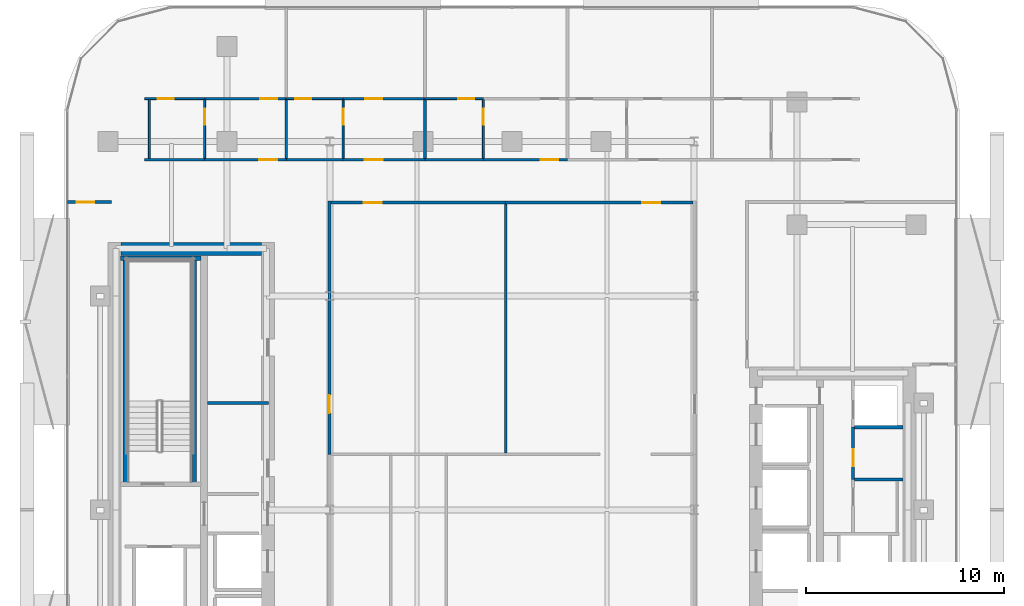
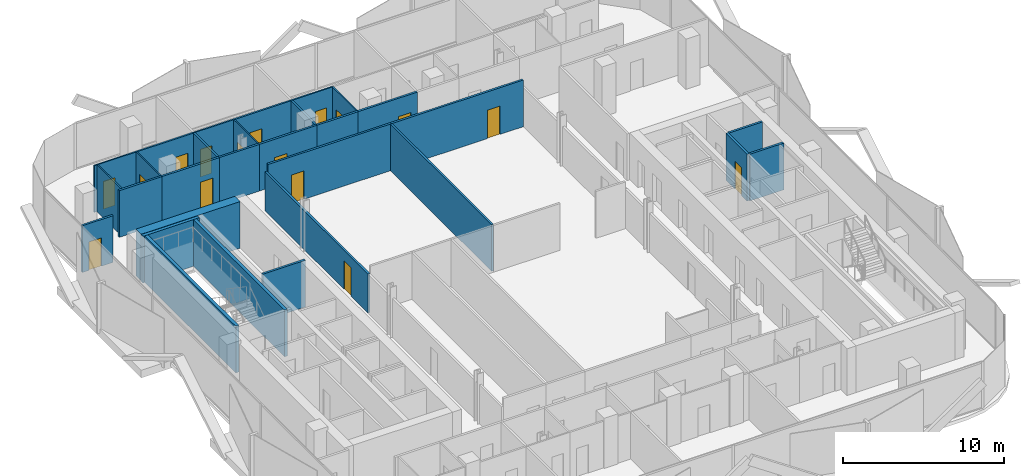
# One storey, part 6 of 17: 30 walls, 16 doors, 16 openings.
"""IFC4 building model written with IfcOpenShell, lengths in metres."""

from ifc_helpers import new_model, si_unit, direction, frame, frame_2d, origin, place, context, subcontext, project, spatial, rectangle, extrude, material, layer, layer_set, type_object, element, fill, save


model = new_model("IFC4")

# Units and contexts
model_context = context("Model", 3, precision=1e-05, world=origin(), true_north=direction((0.0, 1.0)))
body_context = subcontext(model_context, "Body", "Model", "MODEL_VIEW")
ifc_project = project(units=[si_unit("LENGTHUNIT", "METRE"), si_unit("AREAUNIT", "SQUARE_METRE"), si_unit("VOLUMEUNIT", "CUBIC_METRE"), si_unit("PLANEANGLEUNIT", "RADIAN"), si_unit("MASSUNIT", "GRAM", prefix="KILO")], contexts=[model_context])

# Site, building, storey
site_placement = place(None, origin())
site = spatial("IfcSite", under=ifc_project, at=site_placement, CompositionType="ELEMENT")
building_placement = place(site_placement, origin())
building = spatial("IfcBuilding", under=site, at=building_placement, Name="Khairoan Windgate Tower", CompositionType="ELEMENT")
storey_placement = place(building_placement, frame((0.0, 0.0, 191.60009765625)))
storey = spatial("IfcBuildingStorey", under=building, at=storey_placement, Name="L44", CompositionType="ELEMENT", Elevation=191.60009765625)

# Wall, opening, door
ifc_material_1 = material(Name="Moisture-Resistant Gypsum Partition", Category="gypsum")
ifc_layer_1 = layer(ifc_material_1, 0.10009765625, Name="Moisture-Resistant Gypsum Partition")
ifc_layer_set_1 = layer_set([ifc_layer_1], Name="Moisture-Resistant Gypsum Partition")
wall_type_1 = type_object("IfcWallType", Name="Bathroom Wet-Area Partition Wall", PredefinedType="PARTITIONING", material=ifc_layer_set_1)
wall_1_placement = place(storey_placement, frame((-15.52392578125, 17.7548828125, 0.0), z_axis=(0.0, 0.0, 1.0), x_axis=(0.0, 1.0, 0.0)))
wall_1 = element("IfcWall", 1, at=wall_1_placement, inside=storey, type_object=wall_type_1, Name="L44 Interior Partition 054", PredefinedType="PARTITIONING", context=body_context, shape_type="SweptSolid", body=[
    extrude(rectangle(XDim=2.965087890625, YDim=0.10009765625, at=frame_2d((1.482421875, 0.0))), origin(), (0.0, 0.0, 1.0), 3.539794921875),
])
opening_1_placement = place(wall_1_placement, frame((1.705078125, 0.0, 0.0)))
opening_1 = element("IfcOpeningElement", 2, at=opening_1_placement, cuts=wall_1, Name="Opening ID-BTH", PredefinedType="OPENING", context=body_context, shape_type="SweptSolid", body=[
    extrude(rectangle(XDim=0.800048828125, YDim=2.10009765625, at=frame_2d((0.39990234375, 1.050048828125))), frame((0.0, 0.06005859375, 0.0), z_axis=(0.0, -1.0, 0.0), x_axis=(1.0, 0.0, 0.0)), (0.0, 0.0, 1.0), 0.1201171875),
])
ifc_material_2 = material(Name="Teak Veneer Timber Leaf", Category="wood")
door_type_1 = type_object("IfcDoorType", Name="Internal Bathroom Door ID-BTH 800x2100", OperationType="NOTDEFINED", PredefinedType="DOOR", material=ifc_material_2)
door_1_placement = place(opening_1_placement, origin())
door_1 = element("IfcDoor", 3, at=door_1_placement, inside=storey, type_object=door_type_1, Name="L44 L44-39-L44-40 Door", OperationType="SINGLE_SWING_RIGHT", OverallHeight=2.10009765625, OverallWidth=0.800048828125, PredefinedType="DOOR", context=body_context, shape_type="SweptSolid", body=[
    extrude(rectangle(XDim=0.800048828125, YDim=2.10009765625, at=frame_2d((0.39990234375, 1.050048828125))), frame((0.0, 0.02490234375, 0.0), z_axis=(0.0, -1.0, 0.0), x_axis=(1.0, 0.0, 0.0)), (0.0, 0.0, 1.0), 0.050048828125),
])
fill(opening_1, door_1)

wall_2_placement = place(storey_placement, frame((-18.56005859375, 20.77001953125, 0.0), z_axis=(0.0, 0.0, 1.0), x_axis=(1.0, 0.0, 0.0)))
wall_2 = element("IfcWall", 4, at=wall_2_placement, inside=storey, type_object=wall_type_1, Name="L44 Interior Partition 055", PredefinedType="PARTITIONING", context=body_context, shape_type="SweptSolid", body=[
    extrude(rectangle(XDim=3.0361328125, YDim=0.10009765625, at=frame_2d((1.51806640625, 0.0))), origin(), (0.0, 0.0, 1.0), 3.539794921875),
])
opening_2_placement = place(wall_2_placement, frame((0.67919921875, 0.0, 0.0)))
opening_2 = element("IfcOpeningElement", 5, at=opening_2_placement, cuts=wall_2, Name="Opening ID-BTH", PredefinedType="OPENING", context=body_context, shape_type="SweptSolid", body=[
    extrude(rectangle(XDim=0.800048828125, YDim=2.10009765625, at=frame_2d((0.39990234375, 1.050048828125))), frame((0.0, 0.06005859375, 0.0), z_axis=(0.0, -1.0, 0.0), x_axis=(1.0, 0.0, 0.0)), (0.0, 0.0, 1.0), 0.1201171875),
])
door_2_placement = place(opening_2_placement, origin())
door_2 = element("IfcDoor", 6, at=door_2_placement, inside=storey, type_object=door_type_1, Name="L44 L44-39-L44-41 Door", OperationType="SINGLE_SWING_LEFT", OverallHeight=2.10009765625, OverallWidth=0.800048828125, PredefinedType="DOOR", context=body_context, shape_type="SweptSolid", body=[
    extrude(rectangle(XDim=0.800048828125, YDim=2.10009765625, at=frame_2d((0.39990234375, 1.050048828125))), frame((0.0, 0.02490234375, 0.0), z_axis=(0.0, -1.0, 0.0), x_axis=(1.0, 0.0, 0.0)), (0.0, 0.0, 1.0), 0.050048828125),
])
fill(opening_2, door_2)

wall_3_placement = place(storey_placement, frame((-8.52392578125, 17.7548828125, 0.0), z_axis=(0.0, 0.0, 1.0), x_axis=(0.0, 1.0, 0.0)))
wall_3 = element("IfcWall", 7, at=wall_3_placement, inside=storey, type_object=wall_type_1, Name="L44 Interior Partition 059", PredefinedType="PARTITIONING", context=body_context, shape_type="SweptSolid", body=[
    extrude(rectangle(XDim=2.965087890625, YDim=0.10009765625, at=frame_2d((1.482421875, 0.0))), origin(), (0.0, 0.0, 1.0), 3.539794921875),
])
opening_3_placement = place(wall_3_placement, frame((1.705078125, 0.0, 0.0)))
opening_3 = element("IfcOpeningElement", 8, at=opening_3_placement, cuts=wall_3, Name="Opening ID-BTH", PredefinedType="OPENING", context=body_context, shape_type="SweptSolid", body=[
    extrude(rectangle(XDim=0.800048828125, YDim=2.10009765625, at=frame_2d((0.39990234375, 1.050048828125))), frame((0.0, 0.06005859375, 0.0), z_axis=(0.0, -1.0, 0.0), x_axis=(1.0, 0.0, 0.0)), (0.0, 0.0, 1.0), 0.1201171875),
])
door_3_placement = place(opening_3_placement, origin())
door_3 = element("IfcDoor", 9, at=door_3_placement, inside=storey, type_object=door_type_1, Name="L44 L44-42-L44-43 Door", OperationType="SINGLE_SWING_LEFT", OverallHeight=2.10009765625, OverallWidth=0.800048828125, PredefinedType="DOOR", context=body_context, shape_type="SweptSolid", body=[
    extrude(rectangle(XDim=0.800048828125, YDim=2.10009765625, at=frame_2d((0.39990234375, 1.050048828125))), frame((0.0, 0.02490234375, 0.0), z_axis=(0.0, -1.0, 0.0), x_axis=(1.0, 0.0, 0.0)), (0.0, 0.0, 1.0), 0.050048828125),
])
fill(opening_3, door_3)

wall_4_placement = place(storey_placement, frame((-11.39990234375, 20.77001953125, 0.0), z_axis=(0.0, 0.0, 1.0), x_axis=(1.0, 0.0, 0.0)))
wall_4 = element("IfcWall", 10, at=wall_4_placement, inside=storey, type_object=wall_type_1, Name="L44 Interior Partition 060", PredefinedType="PARTITIONING", context=body_context, shape_type="SweptSolid", body=[
    extrude(rectangle(XDim=2.8759765625, YDim=0.10009765625, at=frame_2d((1.43798828125, 0.0))), origin(), (0.0, 0.0, 1.0), 3.539794921875),
])
opening_4_placement = place(wall_4_placement, frame((0.4599609375, 0.0, 0.0)))
opening_4 = element("IfcOpeningElement", 11, at=opening_4_placement, cuts=wall_4, Name="Opening ID-BTH", PredefinedType="OPENING", context=body_context, shape_type="SweptSolid", body=[
    extrude(rectangle(XDim=0.800048828125, YDim=2.10009765625, at=frame_2d((0.39990234375, 1.050048828125))), frame((0.0, 0.06005859375, 0.0), z_axis=(0.0, -1.0, 0.0), x_axis=(1.0, 0.0, 0.0)), (0.0, 0.0, 1.0), 0.1201171875),
])
door_4_placement = place(opening_4_placement, origin())
door_4 = element("IfcDoor", 12, at=door_4_placement, inside=storey, type_object=door_type_1, Name="L44 L44-42-L44-44 Door", OperationType="SINGLE_SWING_RIGHT", OverallHeight=2.10009765625, OverallWidth=0.800048828125, PredefinedType="DOOR", context=body_context, shape_type="SweptSolid", body=[
    extrude(rectangle(XDim=0.800048828125, YDim=2.10009765625, at=frame_2d((0.39990234375, 1.050048828125))), frame((0.0, 0.02490234375, 0.0), z_axis=(0.0, -1.0, 0.0), x_axis=(1.0, 0.0, 0.0)), (0.0, 0.0, 1.0), 0.050048828125),
])
fill(opening_4, door_4)

wall_5_placement = place(storey_placement, frame((-1.444091796875, 17.7548828125, 0.0), z_axis=(0.0, 0.0, 1.0), x_axis=(0.0, 1.0, 0.0)))
wall_5 = element("IfcWall", 13, at=wall_5_placement, inside=storey, type_object=wall_type_1, Name="L44 Interior Partition 064", PredefinedType="PARTITIONING", context=body_context, shape_type="SweptSolid", body=[
    extrude(rectangle(XDim=2.965087890625, YDim=0.10009765625, at=frame_2d((1.482421875, 0.0))), origin(), (0.0, 0.0, 1.0), 3.539794921875),
])
opening_5_placement = place(wall_5_placement, frame((1.705078125, 0.0, 0.0)))
opening_5 = element("IfcOpeningElement", 14, at=opening_5_placement, cuts=wall_5, Name="Opening ID-BTH", PredefinedType="OPENING", context=body_context, shape_type="SweptSolid", body=[
    extrude(rectangle(XDim=0.800048828125, YDim=2.10009765625, at=frame_2d((0.39990234375, 1.050048828125))), frame((0.0, 0.06005859375, 0.0), z_axis=(0.0, -1.0, 0.0), x_axis=(1.0, 0.0, 0.0)), (0.0, 0.0, 1.0), 0.1201171875),
])
door_5_placement = place(opening_5_placement, origin())
door_5 = element("IfcDoor", 15, at=door_5_placement, inside=storey, type_object=door_type_1, Name="L44 L44-45-L44-46 Door", OperationType="SINGLE_SWING_RIGHT", OverallHeight=2.10009765625, OverallWidth=0.800048828125, PredefinedType="DOOR", context=body_context, shape_type="SweptSolid", body=[
    extrude(rectangle(XDim=0.800048828125, YDim=2.10009765625, at=frame_2d((0.39990234375, 1.050048828125))), frame((0.0, 0.02490234375, 0.0), z_axis=(0.0, -1.0, 0.0), x_axis=(1.0, 0.0, 0.0)), (0.0, 0.0, 1.0), 0.050048828125),
])
fill(opening_5, door_5)

wall_6_placement = place(storey_placement, frame((-4.39990234375, 20.77001953125, 0.0), z_axis=(0.0, 0.0, 1.0), x_axis=(1.0, 0.0, 0.0)))
wall_6 = element("IfcWall", 16, at=wall_6_placement, inside=storey, type_object=wall_type_1, Name="L44 Interior Partition 065", PredefinedType="PARTITIONING", context=body_context, shape_type="SweptSolid", body=[
    extrude(rectangle(XDim=2.955810546875, YDim=0.10009765625, at=frame_2d((1.47802734375, 0.0))), origin(), (0.0, 0.0, 1.0), 3.539794921875),
])
opening_6_placement = place(wall_6_placement, frame((1.696044921875, 0.0, 0.0)))
opening_6 = element("IfcOpeningElement", 17, at=opening_6_placement, cuts=wall_6, Name="Opening ID-BTH", PredefinedType="OPENING", context=body_context, shape_type="SweptSolid", body=[
    extrude(rectangle(XDim=0.800048828125, YDim=2.10009765625, at=frame_2d((0.39990234375, 1.050048828125))), frame((0.0, 0.06005859375, 0.0), z_axis=(0.0, -1.0, 0.0), x_axis=(1.0, 0.0, 0.0)), (0.0, 0.0, 1.0), 0.1201171875),
])
door_6_placement = place(opening_6_placement, origin())
door_6 = element("IfcDoor", 18, at=door_6_placement, inside=storey, type_object=door_type_1, Name="L44 L44-45-L44-47 Door", OperationType="SINGLE_SWING_LEFT", OverallHeight=2.10009765625, OverallWidth=0.800048828125, PredefinedType="DOOR", context=body_context, shape_type="SweptSolid", body=[
    extrude(rectangle(XDim=0.800048828125, YDim=2.10009765625, at=frame_2d((0.39990234375, 1.050048828125))), frame((0.0, 0.02490234375, 0.0), z_axis=(0.0, -1.0, 0.0), x_axis=(1.0, 0.0, 0.0)), (0.0, 0.0, 1.0), 0.050048828125),
])
fill(opening_6, door_6)

# Walls
wall_7_placement = place(storey_placement, frame((-18.320068359375, 17.7548828125, 0.0), z_axis=(0.0, 0.0, 1.0), x_axis=(0.0, 1.0, 0.0)))
element("IfcWall", 19, at=wall_7_placement, inside=storey, type_object=wall_type_1, Name="L44 Wet Room Side Wall 098", PredefinedType="PARTITIONING", context=body_context, shape_type="SweptSolid", body=[
    extrude(rectangle(XDim=2.965087890625, YDim=0.10009765625, at=frame_2d((1.482421875, 0.0))), origin(), (0.0, 0.0, 1.0), 3.539794921875),
])
ifc_material_3 = material(Name="Acoustic Fire-Rated Gypsum Partition", Category="gypsum")
ifc_layer_2 = layer(ifc_material_3, 0.139892578125, Name="Acoustic Fire-Rated Gypsum Partition")
ifc_layer_set_2 = layer_set([ifc_layer_2], Name="Acoustic Fire-Rated Gypsum Partition")
wall_type_2 = type_object("IfcWallType", Name="Inter-Tenancy Compartment Wall", PredefinedType="PARTITIONING", material=ifc_layer_set_2)
wall_8_placement = place(storey_placement, frame((-0.320068359375, 2.8701171875, 0.0), z_axis=(0.0, 0.0, 1.0), x_axis=(0.0, 1.0, 0.0)))
element("IfcWall", 20, at=wall_8_placement, inside=storey, type_object=wall_type_2, Name="L44 Interior Partition 053", PredefinedType="PARTITIONING", context=body_context, shape_type="SweptSolid", body=[
    extrude(rectangle(XDim=12.574951171875, YDim=0.139892578125, at=frame_2d((6.28759765625, 0.0))), origin(), (0.0, 0.0, 1.0), 3.539794921875),
])
for number, where, z_axis, x_axis, name in (
    (21, (-11.39990234375, 17.7548828125, 0.0), (0.0, 0.0, 1.0), (0.0, 1.0, 0.0), "L44 Interior Partition 057"),
    (22, (-4.39990234375, 17.7548828125, 0.0), (0.0, 0.0, 1.0), (0.0, 1.0, 0.0), "L44 Interior Partition 062"),
):
    element("IfcWall", number, at=place(storey_placement, frame(where, z_axis=z_axis, x_axis=x_axis)), inside=storey, type_object=wall_type_2, Name=name, PredefinedType="PARTITIONING", context=body_context, shape_type="SweptSolid", body=[
        extrude(rectangle(XDim=3.01513671875, YDim=0.139892578125, at=frame_2d((1.507568359375, 0.0))), origin(), (0.0, 0.0, 1.0), 3.539794921875),
    ])

# Wall, opening, door
ifc_material_4 = material(Name="Gypsum Stud Partition", Category="gypsum")
ifc_layer_3 = layer(ifc_material_4, 0.1201171875, Name="Gypsum Stud Partition")
ifc_layer_set_3 = layer_set([ifc_layer_3], Name="Gypsum Stud Partition")
wall_type_3 = type_object("IfcWallType", Name="Internal Room Partition Wall", PredefinedType="PARTITIONING", material=ifc_layer_set_3)
wall_9_placement = place(storey_placement, frame((-15.52392578125, 20.77001953125, 0.0), z_axis=(0.0, 0.0, 1.0), x_axis=(1.0, 0.0, 0.0)))
wall_9 = element("IfcWall", 23, at=wall_9_placement, inside=storey, type_object=wall_type_3, Name="L44 Interior Partition 056", PredefinedType="PARTITIONING", context=body_context, shape_type="SweptSolid", body=[
    extrude(rectangle(XDim=4.1240234375, YDim=0.1201171875, at=frame_2d((2.06201171875, 0.0))), origin(), (0.0, 0.0, 1.0), 3.539794921875),
])
opening_7_placement = place(wall_9_placement, frame((2.803955078125, 0.0, 0.0)))
opening_7 = element("IfcOpeningElement", 24, at=opening_7_placement, cuts=wall_9, Name="Opening ID-RM", PredefinedType="OPENING", context=body_context, shape_type="SweptSolid", body=[
    extrude(rectangle(XDim=0.860107421875, YDim=2.14990234375, at=frame_2d((0.43017578125, 1.074951171875))), frame((0.0, 0.070068359375, 0.0), z_axis=(0.0, -1.0, 0.0), x_axis=(1.0, 0.0, 0.0)), (0.0, 0.0, 1.0), 0.14013671875),
])
ifc_material_5 = material(Name="Teak Veneer Timber Leaf", Category="wood")
door_type_2 = type_object("IfcDoorType", Name="Internal Bedroom and Office Door ID-RM 860x2150", OperationType="NOTDEFINED", PredefinedType="DOOR", material=ifc_material_5)
door_7_placement = place(opening_7_placement, origin())
door_7 = element("IfcDoor", 25, at=door_7_placement, inside=storey, type_object=door_type_2, Name="L44 L44-40-L44-41 Door", OperationType="SINGLE_SWING_RIGHT", OverallHeight=2.14990234375, OverallWidth=0.860107421875, PredefinedType="DOOR", context=body_context, shape_type="SweptSolid", body=[
    extrude(rectangle(XDim=0.860107421875, YDim=2.14990234375, at=frame_2d((0.43017578125, 1.074951171875))), frame((0.0, 0.02490234375, 0.0), z_axis=(0.0, -1.0, 0.0), x_axis=(1.0, 0.0, 0.0)), (0.0, 0.0, 1.0), 0.050048828125),
])
fill(opening_7, door_7)

wall_10_placement = place(storey_placement, frame((-8.52392578125, 20.77001953125, 0.0), z_axis=(0.0, 0.0, 1.0), x_axis=(1.0, 0.0, 0.0)))
wall_10 = element("IfcWall", 26, at=wall_10_placement, inside=storey, type_object=wall_type_3, Name="L44 Interior Partition 061", PredefinedType="PARTITIONING", context=body_context, shape_type="SweptSolid", body=[
    extrude(rectangle(XDim=4.1240234375, YDim=0.1201171875, at=frame_2d((2.06201171875, 0.0))), origin(), (0.0, 0.0, 1.0), 3.539794921875),
])
opening_8_placement = place(wall_10_placement, frame((1.099365234375, 0.0, 0.0)))
opening_8 = element("IfcOpeningElement", 27, at=opening_8_placement, cuts=wall_10, Name="Opening ID-RM", PredefinedType="OPENING", context=body_context, shape_type="SweptSolid", body=[
    extrude(rectangle(XDim=0.860107421875, YDim=2.14990234375, at=frame_2d((0.43017578125, 1.074951171875))), frame((0.0, 0.070068359375, 0.0), z_axis=(0.0, -1.0, 0.0), x_axis=(1.0, 0.0, 0.0)), (0.0, 0.0, 1.0), 0.14013671875),
])
door_8_placement = place(opening_8_placement, origin())
door_8 = element("IfcDoor", 28, at=door_8_placement, inside=storey, type_object=door_type_2, Name="L44 L44-43-L44-44 Door", OperationType="SINGLE_SWING_LEFT", OverallHeight=2.14990234375, OverallWidth=0.860107421875, PredefinedType="DOOR", context=body_context, shape_type="SweptSolid", body=[
    extrude(rectangle(XDim=0.860107421875, YDim=2.14990234375, at=frame_2d((0.43017578125, 1.074951171875))), frame((0.0, 0.02490234375, 0.0), z_axis=(0.0, -1.0, 0.0), x_axis=(1.0, 0.0, 0.0)), (0.0, 0.0, 1.0), 0.050048828125),
])
fill(opening_8, door_8)

# Wall
ifc_material_6 = material(Name="Concrete C40/50", Category="concrete")
ifc_layer_4 = layer(ifc_material_6, 0.159912109375, Name="Concrete C40/50")
ifc_layer_set_4 = layer_set([ifc_layer_4], Name="Concrete C40/50")
wall_type_4 = type_object("IfcWallType", Name="Plant and Refuge Compartment Wall", PredefinedType="PARTITIONING", material=ifc_layer_set_4)
wall_11_placement = place(storey_placement, frame((-15.375, 5.39990234375, 0.0), z_axis=(0.0, 0.0, 1.0), x_axis=(1.0, 0.0, 0.0)))
element("IfcWall", 29, at=wall_11_placement, inside=storey, type_object=wall_type_4, Name="L44 Interior Partition 004", PredefinedType="PARTITIONING", context=body_context, shape_type="SweptSolid", body=[
    extrude(rectangle(XDim=3.06494140625, YDim=0.159912109375, at=frame_2d((1.532470703125, 0.0))), origin(), (0.0, 0.0, 1.0), 3.539794921875),
])

# Wall, opening, door
wall_12_placement = place(storey_placement, frame((17.22998046875, 1.530029296875, 0.0), z_axis=(0.0, 0.0, 1.0), x_axis=(0.0, 1.0, 0.0)))
wall_12 = element("IfcWall", 30, at=wall_12_placement, inside=storey, type_object=wall_type_4, Name="L44 Interior Partition 007", PredefinedType="PARTITIONING", context=body_context, shape_type="SweptSolid", body=[
    extrude(rectangle(XDim=2.639892578125, YDim=0.159912109375, at=frame_2d((1.31982421875, 0.0))), origin(), (0.0, 0.0, 1.0), 3.539794921875),
])
opening_9_placement = place(wall_12_placement, frame((0.677490234375, 0.0, 0.0)))
opening_9 = element("IfcOpeningElement", 31, at=opening_9_placement, cuts=wall_12, Name="Opening FD-SRV", PredefinedType="OPENING", context=body_context, shape_type="SweptSolid", body=[
    extrude(rectangle(XDim=0.85009765625, YDim=2.10009765625, at=frame_2d((0.425048828125, 1.050048828125))), frame((0.0, 0.08984375, 0.0), z_axis=(0.0, -1.0, 0.0), x_axis=(1.0, 0.0, 0.0)), (0.0, 0.0, 1.0), 0.179931640625),
])
ifc_material_7 = material(Name="Steel S355", Category="steel")
door_type_3 = type_object("IfcDoorType", Name="Core Service and Riser Fire Door FD-SRV 850x2100", OperationType="NOTDEFINED", PredefinedType="DOOR", material=ifc_material_7)
door_9_placement = place(opening_9_placement, origin())
door_9 = element("IfcDoor", 32, at=door_9_placement, inside=storey, type_object=door_type_3, Name="L44 L44-17-L44-20 Door", OperationType="SINGLE_SWING_LEFT", OverallHeight=2.10009765625, OverallWidth=0.85009765625, PredefinedType="DOOR", context=body_context, shape_type="SweptSolid", body=[
    extrude(rectangle(XDim=0.85009765625, YDim=2.10009765625, at=frame_2d((0.425048828125, 1.050048828125))), frame((0.0, 0.02490234375, 0.0), z_axis=(0.0, -1.0, 0.0), x_axis=(1.0, 0.0, 0.0)), (0.0, 0.0, 1.0), 0.050048828125),
])
fill(opening_9, door_9)

# Walls
for number, where, z_axis, x_axis, name in (
    (33, (17.31005859375, 4.169921875, 0.0), (0.0, 0.0, 1.0), (1.0, 0.0, 0.0), "L44 Interior Partition 008"),
    (34, (17.31005859375, 1.530029296875, 0.0), (0.0, 0.0, 1.0), (1.0, 0.0, 0.0), "L44 Interior Partition 009"),
):
    element("IfcWall", number, at=place(storey_placement, frame(where, z_axis=z_axis, x_axis=x_axis)), inside=storey, type_object=wall_type_4, Name=name, PredefinedType="PARTITIONING", context=body_context, shape_type="SweptSolid", body=[
        extrude(rectangle(XDim=2.43994140625, YDim=0.159912109375, at=frame_2d((1.219970703125, 0.0))), origin(), (0.0, 0.0, 1.0), 3.539794921875),
    ])

# Wall, opening, door
ifc_material_8 = material(Name="Acoustic Fire-Rated Gypsum Partition", Category="gypsum")
ifc_layer_5 = layer(ifc_material_8, 0.14990234375, Name="Acoustic Fire-Rated Gypsum Partition")
ifc_layer_set_5 = layer_set([ifc_layer_5], Name="Acoustic Fire-Rated Gypsum Partition")
wall_type_5 = type_object("IfcWallType", Name="Rated Corridor Partition Wall", PredefinedType="PARTITIONING", material=ifc_layer_set_5)
wall_13_placement = place(storey_placement, frame((-9.219970703125, 2.800048828125, 0.0), z_axis=(0.0, 0.0, 1.0), x_axis=(0.0, 1.0, 0.0)))
wall_13 = element("IfcWall", 35, at=wall_13_placement, inside=storey, type_object=wall_type_5, Name="L44 Interior Partition 012", PredefinedType="PARTITIONING", context=body_context, shape_type="SweptSolid", body=[
    extrude(rectangle(XDim=12.794921875, YDim=0.14990234375, at=frame_2d((6.3974609375, 0.0))), origin(), (0.0, 0.0, 1.0), 2.951904296875),
])
opening_10_placement = place(wall_13_placement, frame((2.0859375, 0.0, 0.0)))
opening_10 = element("IfcOpeningElement", 36, at=opening_10_placement, cuts=wall_13, Name="Opening FD-ENT", PredefinedType="OPENING", context=body_context, shape_type="SweptSolid", body=[
    extrude(rectangle(XDim=0.89990234375, YDim=2.14990234375, at=frame_2d((0.449951171875, 1.074951171875))), frame((0.0, 0.0849609375, 0.0), z_axis=(0.0, -1.0, 0.0), x_axis=(1.0, 0.0, 0.0)), (0.0, 0.0, 1.0), 0.169921875),
])
ifc_material_9 = material(Name="Timber Fire-Rated Core", Category="wood")
door_type_4 = type_object("IfcDoorType", Name="Unit and Office Fire Entrance Door FD-ENT 900x2150", OperationType="NOTDEFINED", PredefinedType="DOOR", material=ifc_material_9)
door_10_placement = place(opening_10_placement, origin())
door_10 = element("IfcDoor", 37, at=door_10_placement, inside=storey, type_object=door_type_4, Name="L44 L44-28-L44-37 Door", OperationType="SINGLE_SWING_LEFT", OverallHeight=2.14990234375, OverallWidth=0.89990234375, PredefinedType="DOOR", context=body_context, shape_type="SweptSolid", body=[
    extrude(rectangle(XDim=0.89990234375, YDim=2.14990234375, at=frame_2d((0.449951171875, 1.074951171875))), frame((0.0, 0.02490234375, 0.0), z_axis=(0.0, -1.0, 0.0), x_axis=(1.0, 0.0, 0.0)), (0.0, 0.0, 1.0), 0.050048828125),
])
fill(opening_10, door_10)

wall_14_placement = place(storey_placement, frame((-9.14501953125, 15.52001953125, 0.0), z_axis=(0.0, 0.0, 1.0), x_axis=(1.0, 0.0, 0.0)))
wall_14 = element("IfcWall", 38, at=wall_14_placement, inside=storey, type_object=wall_type_5, Name="L44 Interior Partition 016", PredefinedType="PARTITIONING", context=body_context, shape_type="SweptSolid", body=[
    extrude(rectangle(XDim=8.824951171875, YDim=0.14990234375, at=frame_2d((4.41259765625, 0.0))), origin(), (0.0, 0.0, 1.0), 3.539794921875),
])
opening_11_placement = place(wall_14_placement, frame((1.660888671875, 0.0, 0.0)))
opening_11 = element("IfcOpeningElement", 39, at=opening_11_placement, cuts=wall_14, Name="Opening FD-ENT", PredefinedType="OPENING", context=body_context, shape_type="SweptSolid", body=[
    extrude(rectangle(XDim=0.89990234375, YDim=2.14990234375, at=frame_2d((0.449951171875, 1.074951171875))), frame((0.0, 0.0849609375, 0.0), z_axis=(0.0, -1.0, 0.0), x_axis=(1.0, 0.0, 0.0)), (0.0, 0.0, 1.0), 0.169921875),
])
door_11_placement = place(opening_11_placement, origin())
door_11 = element("IfcDoor", 40, at=door_11_placement, inside=storey, type_object=door_type_4, Name="L44 L44-30-L44-37 Door", OperationType="SINGLE_SWING_LEFT", OverallHeight=2.14990234375, OverallWidth=0.89990234375, PredefinedType="DOOR", context=body_context, shape_type="SweptSolid", body=[
    extrude(rectangle(XDim=0.89990234375, YDim=2.14990234375, at=frame_2d((0.449951171875, 1.074951171875))), frame((0.0, 0.02490234375, 0.0), z_axis=(0.0, -1.0, 0.0), x_axis=(1.0, 0.0, 0.0)), (0.0, 0.0, 1.0), 0.050048828125),
])
fill(opening_11, door_11)

wall_15_placement = place(storey_placement, frame((-0.320068359375, 15.52001953125, 0.0), z_axis=(0.0, 0.0, 1.0), x_axis=(1.0, 0.0, 0.0)))
wall_15 = element("IfcWall", 41, at=wall_15_placement, inside=storey, type_object=wall_type_5, Name="L44 Interior Partition 017", PredefinedType="PARTITIONING", context=body_context, shape_type="SweptSolid", body=[
    extrude(rectangle(XDim=9.465087890625, YDim=0.14990234375, at=frame_2d((4.732421875, 0.0))), origin(), (0.0, 0.0, 1.0), 3.539794921875),
])
opening_12_placement = place(wall_15_placement, frame((6.89794921875, 0.0, 0.0)))
opening_12 = element("IfcOpeningElement", 42, at=opening_12_placement, cuts=wall_15, Name="Opening FD-ENT", PredefinedType="OPENING", context=body_context, shape_type="SweptSolid", body=[
    extrude(rectangle(XDim=0.89990234375, YDim=2.14990234375, at=frame_2d((0.449951171875, 1.074951171875))), frame((0.0, 0.0849609375, 0.0), z_axis=(0.0, -1.0, 0.0), x_axis=(1.0, 0.0, 0.0)), (0.0, 0.0, 1.0), 0.169921875),
])
door_12_placement = place(opening_12_placement, origin())
door_12 = element("IfcDoor", 43, at=door_12_placement, inside=storey, type_object=door_type_4, Name="L44 L44-30-L44-38 Door", OperationType="SINGLE_SWING_RIGHT", OverallHeight=2.14990234375, OverallWidth=0.89990234375, PredefinedType="DOOR", context=body_context, shape_type="SweptSolid", body=[
    extrude(rectangle(XDim=0.89990234375, YDim=2.14990234375, at=frame_2d((0.449951171875, 1.074951171875))), frame((0.0, 0.02490234375, 0.0), z_axis=(0.0, -1.0, 0.0), x_axis=(1.0, 0.0, 0.0)), (0.0, 0.0, 1.0), 0.050048828125),
])
fill(opening_12, door_12)

# Wall
wall_16_placement = place(storey_placement, frame((-18.56005859375, 17.679931640625, 0.0), z_axis=(0.0, 0.0, 1.0), x_axis=(1.0, 0.0, 0.0)))
element("IfcWall", 44, at=wall_16_placement, inside=storey, type_object=wall_type_5, Name="L44 Interior Partition 018", PredefinedType="PARTITIONING", context=body_context, shape_type="SweptSolid", body=[
    extrude(rectangle(XDim=3.0361328125, YDim=0.14990234375, at=frame_2d((1.51806640625, 0.0))), origin(), (0.0, 0.0, 1.0), 3.539794921875),
])

# Wall, opening, door
wall_17_placement = place(storey_placement, frame((-15.52392578125, 17.679931640625, 0.0), z_axis=(0.0, 0.0, 1.0), x_axis=(1.0, 0.0, 0.0)))
wall_17 = element("IfcWall", 45, at=wall_17_placement, inside=storey, type_object=wall_type_5, Name="L44 Interior Partition 019", PredefinedType="PARTITIONING", context=body_context, shape_type="SweptSolid", body=[
    extrude(rectangle(XDim=4.1240234375, YDim=0.14990234375, at=frame_2d((2.06201171875, 0.0))), origin(), (0.0, 0.0, 1.0), 3.539794921875),
])
opening_13_placement = place(wall_17_placement, frame((2.763916015625, 0.0, 0.0)))
opening_13 = element("IfcOpeningElement", 46, at=opening_13_placement, cuts=wall_17, Name="Opening FD-ENT", PredefinedType="OPENING", context=body_context, shape_type="SweptSolid", body=[
    extrude(rectangle(XDim=0.89990234375, YDim=2.14990234375, at=frame_2d((0.449951171875, 1.074951171875))), frame((0.0, 0.0849609375, 0.0), z_axis=(0.0, -1.0, 0.0), x_axis=(1.0, 0.0, 0.0)), (0.0, 0.0, 1.0), 0.169921875),
])
door_13_placement = place(opening_13_placement, origin())
door_13 = element("IfcDoor", 47, at=door_13_placement, inside=storey, type_object=door_type_4, Name="L44 L44-30-L44-40 Door", OperationType="SINGLE_SWING_LEFT", OverallHeight=2.14990234375, OverallWidth=0.89990234375, PredefinedType="DOOR", context=body_context, shape_type="SweptSolid", body=[
    extrude(rectangle(XDim=0.89990234375, YDim=2.14990234375, at=frame_2d((0.449951171875, 1.074951171875))), frame((0.0, 0.02490234375, 0.0), z_axis=(0.0, -1.0, 0.0), x_axis=(1.0, 0.0, 0.0)), (0.0, 0.0, 1.0), 0.050048828125),
])
fill(opening_13, door_13)

# Wall
wall_18_placement = place(storey_placement, frame((-11.39990234375, 17.679931640625, 0.0), z_axis=(0.0, 0.0, 1.0), x_axis=(1.0, 0.0, 0.0)))
element("IfcWall", 48, at=wall_18_placement, inside=storey, type_object=wall_type_5, Name="L44 Interior Partition 020", PredefinedType="PARTITIONING", context=body_context, shape_type="SweptSolid", body=[
    extrude(rectangle(XDim=2.8759765625, YDim=0.14990234375, at=frame_2d((1.43798828125, 0.0))), origin(), (0.0, 0.0, 1.0), 3.539794921875),
])

# Wall, opening, door
wall_19_placement = place(storey_placement, frame((-8.52392578125, 17.679931640625, 0.0), z_axis=(0.0, 0.0, 1.0), x_axis=(1.0, 0.0, 0.0)))
wall_19 = element("IfcWall", 49, at=wall_19_placement, inside=storey, type_object=wall_type_5, Name="L44 Interior Partition 021", PredefinedType="PARTITIONING", context=body_context, shape_type="SweptSolid", body=[
    extrude(rectangle(XDim=4.1240234375, YDim=0.14990234375, at=frame_2d((2.06201171875, 0.0))), origin(), (0.0, 0.0, 1.0), 3.539794921875),
])
opening_14_placement = place(wall_19_placement, frame((1.08837890625, 0.0, 0.0)))
opening_14 = element("IfcOpeningElement", 50, at=opening_14_placement, cuts=wall_19, Name="Opening FD-ENT", PredefinedType="OPENING", context=body_context, shape_type="SweptSolid", body=[
    extrude(rectangle(XDim=0.89990234375, YDim=2.14990234375, at=frame_2d((0.449951171875, 1.074951171875))), frame((0.0, 0.0849609375, 0.0), z_axis=(0.0, -1.0, 0.0), x_axis=(1.0, 0.0, 0.0)), (0.0, 0.0, 1.0), 0.169921875),
])
door_14_placement = place(opening_14_placement, origin())
door_14 = element("IfcDoor", 51, at=door_14_placement, inside=storey, type_object=door_type_4, Name="L44 L44-30-L44-43 Door", OperationType="SINGLE_SWING_RIGHT", OverallHeight=2.14990234375, OverallWidth=0.89990234375, PredefinedType="DOOR", context=body_context, shape_type="SweptSolid", body=[
    extrude(rectangle(XDim=0.89990234375, YDim=2.14990234375, at=frame_2d((0.449951171875, 1.074951171875))), frame((0.0, 0.02490234375, 0.0), z_axis=(0.0, -1.0, 0.0), x_axis=(1.0, 0.0, 0.0)), (0.0, 0.0, 1.0), 0.050048828125),
])
fill(opening_14, door_14)

# Wall
wall_20_placement = place(storey_placement, frame((-4.39990234375, 17.679931640625, 0.0), z_axis=(0.0, 0.0, 1.0), x_axis=(1.0, 0.0, 0.0)))
element("IfcWall", 52, at=wall_20_placement, inside=storey, type_object=wall_type_5, Name="L44 Interior Partition 022", PredefinedType="PARTITIONING", context=body_context, shape_type="SweptSolid", body=[
    extrude(rectangle(XDim=2.955810546875, YDim=0.14990234375, at=frame_2d((1.47802734375, 0.0))), origin(), (0.0, 0.0, 1.0), 3.539794921875),
])

# Wall, opening, door
wall_21_placement = place(storey_placement, frame((-1.444091796875, 17.679931640625, 0.0), z_axis=(0.0, 0.0, 1.0), x_axis=(1.0, 0.0, 0.0)))
wall_21 = element("IfcWall", 53, at=wall_21_placement, inside=storey, type_object=wall_type_5, Name="L44 Interior Partition 023", PredefinedType="PARTITIONING", context=body_context, shape_type="SweptSolid", body=[
    extrude(rectangle(XDim=4.244140625, YDim=0.14990234375, at=frame_2d((2.1220703125, 0.0))), origin(), (0.0, 0.0, 1.0), 3.539794921875),
])
opening_15_placement = place(wall_21_placement, frame((2.884033203125, 0.0, 0.0)))
opening_15 = element("IfcOpeningElement", 54, at=opening_15_placement, cuts=wall_21, Name="Opening FD-ENT", PredefinedType="OPENING", context=body_context, shape_type="SweptSolid", body=[
    extrude(rectangle(XDim=0.89990234375, YDim=2.14990234375, at=frame_2d((0.449951171875, 1.074951171875))), frame((0.0, 0.0849609375, 0.0), z_axis=(0.0, -1.0, 0.0), x_axis=(1.0, 0.0, 0.0)), (0.0, 0.0, 1.0), 0.169921875),
])
door_15_placement = place(opening_15_placement, origin())
door_15 = element("IfcDoor", 55, at=door_15_placement, inside=storey, type_object=door_type_4, Name="L44 L44-30-L44-46 Door", OperationType="SINGLE_SWING_LEFT", OverallHeight=2.14990234375, OverallWidth=0.89990234375, PredefinedType="DOOR", context=body_context, shape_type="SweptSolid", body=[
    extrude(rectangle(XDim=0.89990234375, YDim=2.14990234375, at=frame_2d((0.449951171875, 1.074951171875))), frame((0.0, 0.02490234375, 0.0), z_axis=(0.0, -1.0, 0.0), x_axis=(1.0, 0.0, 0.0)), (0.0, 0.0, 1.0), 0.050048828125),
])
fill(opening_15, door_15)

wall_22_placement = place(storey_placement, frame((-22.455078125, 15.5400390625, 0.0), z_axis=(0.0, 0.0, 1.0), x_axis=(1.0, 0.0, 0.0)))
wall_22 = element("IfcWall", 56, at=wall_22_placement, inside=storey, type_object=wall_type_5, Name="L44 Interior Partition 029", PredefinedType="PARTITIONING", context=body_context, shape_type="SweptSolid", body=[
    extrude(rectangle(XDim=2.215087890625, YDim=0.14990234375, at=frame_2d((1.107421875, 0.0))), origin(), (0.0, 0.0, 1.0), 3.539794921875),
])
opening_16_placement = place(wall_22_placement, frame((0.4599609375, 0.0, 0.0)))
opening_16 = element("IfcOpeningElement", 57, at=opening_16_placement, cuts=wall_22, Name="Opening FD-ENT", PredefinedType="OPENING", context=body_context, shape_type="SweptSolid", body=[
    extrude(rectangle(XDim=0.89990234375, YDim=2.14990234375, at=frame_2d((0.449951171875, 1.074951171875))), frame((0.0, 0.0849609375, 0.0), z_axis=(0.0, -1.0, 0.0), x_axis=(1.0, 0.0, 0.0)), (0.0, 0.0, 1.0), 0.169921875),
])
door_16_placement = place(opening_16_placement, origin())
door_16 = element("IfcDoor", 58, at=door_16_placement, inside=storey, type_object=door_type_4, Name="L44 L44-30-L44-67 Door", OperationType="SINGLE_SWING_LEFT", OverallHeight=2.14990234375, OverallWidth=0.89990234375, PredefinedType="DOOR", context=body_context, shape_type="SweptSolid", body=[
    extrude(rectangle(XDim=0.89990234375, YDim=2.14990234375, at=frame_2d((0.449951171875, 1.074951171875))), frame((0.0, 0.02490234375, 0.0), z_axis=(0.0, -1.0, 0.0), x_axis=(1.0, 0.0, 0.0)), (0.0, 0.0, 1.0), 0.050048828125),
])
fill(opening_16, door_16)

# Walls
ifc_material_10 = material(Name="Concrete C60/75", Category="concrete")
ifc_layer_6 = layer(ifc_material_10, 0.64990234375, Name="Concrete C60/75")
ifc_layer_set_6 = layer_set([ifc_layer_6], Name="Concrete C60/75")
wall_type_6 = type_object("IfcWallType", Name="Shear Wall CW-W2 650mm", PredefinedType="SHEAR", material=ifc_layer_set_6)
wall_23_placement = place(storey_placement, frame((-19.75, 13.175048828125, 0.0), z_axis=(0.0, 0.0, 1.0), x_axis=(1.0, 0.0, 0.0)))
element("IfcWall", 59, at=wall_23_placement, inside=storey, type_object=wall_type_6, Name="W Core North Shear Wall L44", PredefinedType="SHEAR", context=body_context, shape_type="SweptSolid", body=[
    extrude(rectangle(XDim=7.10009765625, YDim=0.64990234375, at=frame_2d((3.550048828125, 0.0))), origin(), (0.0, 0.0, 1.0), 3.539794921875),
])
ifc_material_11 = material(Name="Concrete C50/60", Category="concrete")
ifc_layer_7 = layer(ifc_material_11, 0.219970703125, Name="Concrete C50/60")
ifc_layer_set_7 = layer_set([ifc_layer_7], Name="Concrete C50/60")
wall_type_7 = type_object("IfcWallType", Name="Shear Wall SW-ST 220mm", PredefinedType="SHEAR", material=ifc_layer_set_7)
for number, where, z_axis, x_axis, name in (
    (60, (-16.0400390625, 1.2900390625, 0.0), (0.0, 0.0, 1.0), (0.0, 1.0, 0.0), "L44 Stair ST2 East Bearing Wall"),
    (61, (-19.530029296875, 1.2900390625, 0.0), (0.0, 0.0, 1.0), (0.0, 1.0, 0.0), "L44 Stair ST2 West Bearing Wall"),
):
    element("IfcWall", number, at=place(storey_placement, frame(where, z_axis=z_axis, x_axis=x_axis)), inside=storey, type_object=wall_type_7, Name=name, PredefinedType="SHEAR", context=body_context, shape_type="SweptSolid", body=[
        extrude(rectangle(XDim=11.419921875, YDim=0.219970703125, at=frame_2d((5.7099609375, 0.0))), origin(), (0.0, 0.0, 1.0), 3.539794921875),
    ])
wall_24_placement = place(storey_placement, frame((-19.77001953125, 12.7099609375, 0.0), z_axis=(0.0, 0.0, 1.0), x_axis=(1.0, 0.0, 0.0)))
element("IfcWall", 62, at=wall_24_placement, inside=storey, type_object=wall_type_7, Name="L44 Stair ST2 North Bearing Wall", PredefinedType="SHEAR", context=body_context, shape_type="SweptSolid", body=[
    extrude(rectangle(XDim=4.06494140625, YDim=0.219970703125, at=frame_2d((2.032470703125, 0.0))), origin(), (0.0, 0.0, 1.0), 3.539794921875),
])

save(model, "model.ifc")
